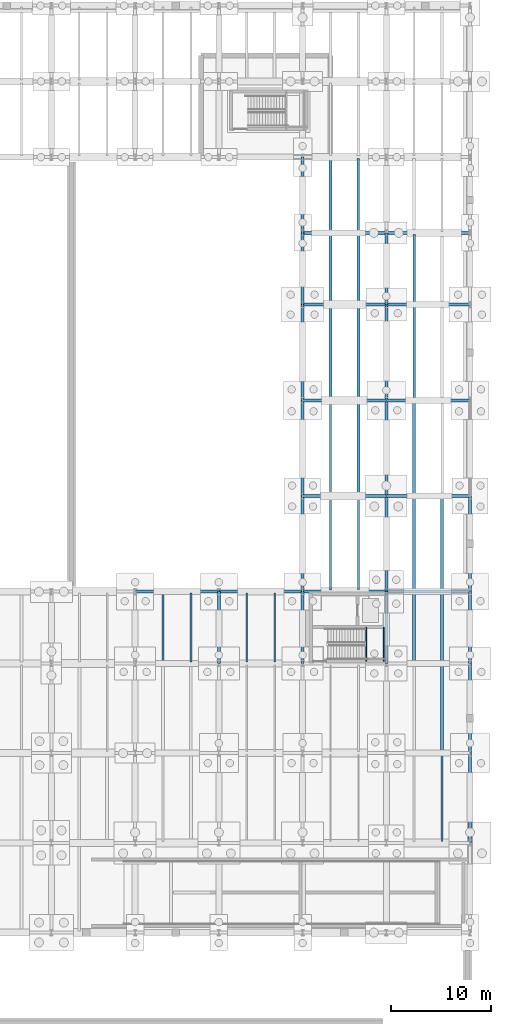
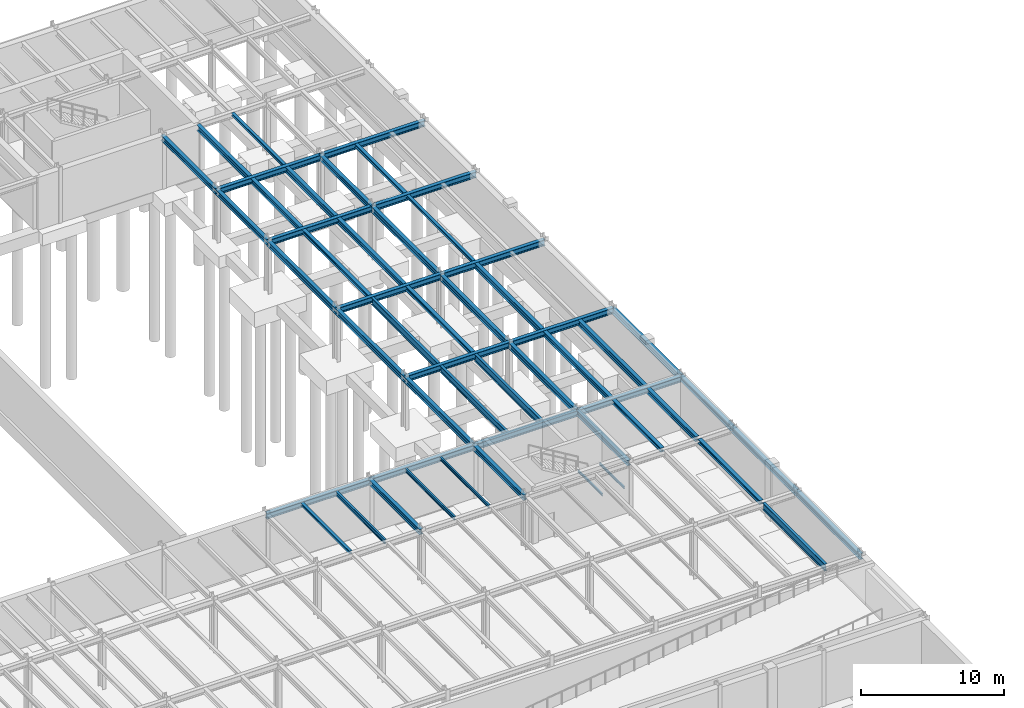
# One storey, part 36 of 59: 53 beams.
"""IFC4 building model written with IfcOpenShell, lengths in metres."""

from ifc_helpers import new_model, si_unit, direction, frame, origin, origin_2d, place, context, subcontext, project, spatial, i_section, extrude, material, material_profile, profile_set, type_object, element, save


model = new_model("IFC4")

# Units and contexts
model_context = context("Model", 3, precision=1e-05, world=origin(), true_north=direction((0.0, 1.0)))
body_context = subcontext(model_context, "Body", "Model", "MODEL_VIEW")
ifc_project = project(units=[si_unit("LENGTHUNIT", "METRE"), si_unit("AREAUNIT", "SQUARE_METRE"), si_unit("VOLUMEUNIT", "CUBIC_METRE"), si_unit("PLANEANGLEUNIT", "RADIAN"), si_unit("MASSUNIT", "GRAM", prefix="KILO")], contexts=[model_context])

# Site, building, storey
site_placement = place(None, origin())
site = spatial("IfcSite", under=ifc_project, at=site_placement, CompositionType="ELEMENT")
building_placement = place(site_placement, origin())
building = spatial("IfcBuilding", under=site, at=building_placement, Name="Montealbar Specialist Clinic", CompositionType="ELEMENT")
storey_placement = place(building_placement, frame((0.0, 0.0, -4.800048828125)))
storey = spatial("IfcBuildingStorey", under=building, at=storey_placement, Name="B01", CompositionType="ELEMENT", Elevation=-4.800048828125)

# Beams
ifc_material = material(Name="Steel S355", Category="steel")
ifc_material_profile_1 = material_profile(ifc_material, i_section(OverallWidth=0.300048828125, OverallDepth=0.449951171875, WebThickness=0.013916015625, FlangeThickness=0.02587890625, FilletRadius=0.027099609375, at=origin_2d()), Name="HEB 450", Category="steel")
ifc_profile_set_1 = profile_set([ifc_material_profile_1], Name="Steel S355")
beam_type_1 = type_object("IfcBeamType", Name="BM-GIRD-HEB450", PredefinedType="BEAM", material=ifc_profile_set_1)
for number, where, z_axis, x_axis, name in (
    (1, (136.800048828125, 45.0, 4.255126953125), (0.0, 1.0, 0.0), (-1.0, 0.0, 0.0), "Beam GY-B01-1368-450-522"),
    (2, (145.199951171875, 45.0, 4.255126953125), (0.0, 1.0, 0.0), (-1.0, 0.0, 0.0), "Beam GY-B01-1452-450-522"),
    (3, (153.60009765625, 45.0, 4.255126953125), (0.0, 1.0, 0.0), (-1.0, 0.0, 0.0), "Beam GY-B01-1536-450-522"),
    (4, (153.60009765625, 81.0, 4.255126953125), (0.0, 1.0, 0.0), (-1.0, 0.0, 0.0), "Beam GY-B01-1536-810-882"),
):
    element("IfcBeam", number, at=place(storey_placement, frame(where, z_axis=z_axis, x_axis=x_axis)), inside=storey, type_object=beam_type_1, Name=name, PredefinedType="BEAM", context=body_context, shape_type="SweptSolid", body=[
        extrude(i_section(OverallWidth=0.300048828125, OverallDepth=0.449951171875, WebThickness=0.013916015625, FlangeThickness=0.02587890625, FilletRadius=0.027099609375, at=origin_2d()), origin(), (0.0, 0.0, 1.0), 7.199951171875),
    ])
ifc_material_profile_2 = material_profile(ifc_material, i_section(OverallWidth=0.300048828125, OverallDepth=0.449951171875, WebThickness=0.013916015625, FlangeThickness=0.02587890625, FilletRadius=0.027099609375, at=origin_2d()), Name="HEB 450", Category="steel")
ifc_profile_set_2 = profile_set([ifc_material_profile_2], Name="Steel S355")
beam_type_2 = type_object("IfcBeamType", Name="BM-GIRD-HEB450-EXT", PredefinedType="BEAM", material=ifc_profile_set_2)
beam_1_placement = place(storey_placement, frame((145.199951171875, 81.0, 4.255126953125), z_axis=(0.0, 1.0, 0.0), x_axis=(-1.0, 0.0, 0.0)))
element("IfcBeam", 5, at=beam_1_placement, inside=storey, type_object=beam_type_2, Name="Beam GY-B01-1452-810-882", PredefinedType="BEAM", context=body_context, shape_type="SweptSolid", body=[
    extrude(i_section(OverallWidth=0.300048828125, OverallDepth=0.449951171875, WebThickness=0.013916015625, FlangeThickness=0.02587890625, FilletRadius=0.027099609375, at=origin_2d()), origin(), (0.0, 0.0, 1.0), 7.199951171875),
])
beam_2_placement = place(storey_placement, frame((145.199951171875, 88.199951171875, 4.255126953125), z_axis=(0.0, 1.0, 0.0), x_axis=(-1.0, 0.0, 0.0)))
element("IfcBeam", 6, at=beam_2_placement, inside=storey, type_object=beam_type_2, Name="Beam GY-B01-1452-882-958", PredefinedType="BEAM", context=body_context, shape_type="SweptSolid", body=[
    extrude(i_section(OverallWidth=0.300048828125, OverallDepth=0.449951171875, WebThickness=0.013916015625, FlangeThickness=0.02587890625, FilletRadius=0.027099609375, at=origin_2d()), origin(), (0.0, 0.0, 1.0), 7.60009765625),
])
beam_3_placement = place(storey_placement, frame((162.0, 45.0, 4.255126953125), z_axis=(0.0, 1.0, 0.0), x_axis=(-1.0, 0.0, 0.0)))
element("IfcBeam", 7, at=beam_3_placement, inside=storey, type_object=beam_type_2, Name="Beam GY-B01-1620-450-522", PredefinedType="BEAM", context=body_context, shape_type="SweptSolid", body=[
    extrude(i_section(OverallWidth=0.300048828125, OverallDepth=0.449951171875, WebThickness=0.013916015625, FlangeThickness=0.02587890625, FilletRadius=0.027099609375, at=origin_2d()), origin(), (0.0, 0.0, 1.0), 7.199951171875),
])
ifc_material_profile_3 = material_profile(ifc_material, i_section(OverallWidth=0.300048828125, OverallDepth=0.5, WebThickness=0.014404296875, FlangeThickness=0.028076171875, FilletRadius=0.027099609375, at=origin_2d()), Name="HEB 500", Category="steel")
ifc_profile_set_3 = profile_set([ifc_material_profile_3], Name="Steel S355")
beam_type_3 = type_object("IfcBeamType", Name="BM-GIRD-HEB500", PredefinedType="BEAM", material=ifc_profile_set_3)
beam_4_placement = place(storey_placement, frame((145.199951171875, 52.199951171875, 4.22998046875), z_axis=(1.0, 0.0, 0.0), x_axis=(0.0, 1.0, 0.0)))
element("IfcBeam", 8, at=beam_4_placement, inside=storey, type_object=beam_type_3, Name="Beam GX-B01-1452-1536-522", PredefinedType="BEAM", context=body_context, shape_type="SweptSolid", body=[
    extrude(i_section(OverallWidth=0.300048828125, OverallDepth=0.5, WebThickness=0.014404296875, FlangeThickness=0.028076171875, FilletRadius=0.027099609375, at=origin_2d()), origin(), (0.0, 0.0, 1.0), 8.400146484375),
])
beam_5_placement = place(storey_placement, frame((153.60009765625, 52.199951171875, 4.22998046875), z_axis=(1.0, 0.0, 0.0), x_axis=(0.0, 1.0, 0.0)))
element("IfcBeam", 9, at=beam_5_placement, inside=storey, type_object=beam_type_3, Name="Beam GX-B01-1536-1620-522", PredefinedType="BEAM", context=body_context, shape_type="SweptSolid", body=[
    extrude(i_section(OverallWidth=0.300048828125, OverallDepth=0.5, WebThickness=0.014404296875, FlangeThickness=0.028076171875, FilletRadius=0.027099609375, at=origin_2d()), origin(), (0.0, 0.0, 1.0), 8.39990234375),
])
beam_6_placement = place(storey_placement, frame((145.199951171875, 61.800048828125, 4.22998046875), z_axis=(1.0, 0.0, 0.0), x_axis=(0.0, 1.0, 0.0)))
element("IfcBeam", 10, at=beam_6_placement, inside=storey, type_object=beam_type_3, Name="Beam GX-B01-1452-1536-618", PredefinedType="BEAM", context=body_context, shape_type="SweptSolid", body=[
    extrude(i_section(OverallWidth=0.300048828125, OverallDepth=0.5, WebThickness=0.014404296875, FlangeThickness=0.028076171875, FilletRadius=0.027099609375, at=origin_2d()), origin(), (0.0, 0.0, 1.0), 8.400146484375),
])
beam_7_placement = place(storey_placement, frame((153.60009765625, 61.800048828125, 4.22998046875), z_axis=(1.0, 0.0, 0.0), x_axis=(0.0, 1.0, 0.0)))
element("IfcBeam", 11, at=beam_7_placement, inside=storey, type_object=beam_type_3, Name="Beam GX-B01-1536-1620-618", PredefinedType="BEAM", context=body_context, shape_type="SweptSolid", body=[
    extrude(i_section(OverallWidth=0.300048828125, OverallDepth=0.5, WebThickness=0.014404296875, FlangeThickness=0.028076171875, FilletRadius=0.027099609375, at=origin_2d()), origin(), (0.0, 0.0, 1.0), 8.39990234375),
])
beam_8_placement = place(storey_placement, frame((145.199951171875, 71.39990234375, 4.22998046875), z_axis=(1.0, 0.0, 0.0), x_axis=(0.0, 1.0, 0.0)))
element("IfcBeam", 12, at=beam_8_placement, inside=storey, type_object=beam_type_3, Name="Beam GX-B01-1452-1536-714", PredefinedType="BEAM", context=body_context, shape_type="SweptSolid", body=[
    extrude(i_section(OverallWidth=0.300048828125, OverallDepth=0.5, WebThickness=0.014404296875, FlangeThickness=0.028076171875, FilletRadius=0.027099609375, at=origin_2d()), origin(), (0.0, 0.0, 1.0), 8.400146484375),
])
beam_9_placement = place(storey_placement, frame((153.60009765625, 71.39990234375, 4.22998046875), z_axis=(1.0, 0.0, 0.0), x_axis=(0.0, 1.0, 0.0)))
element("IfcBeam", 13, at=beam_9_placement, inside=storey, type_object=beam_type_3, Name="Beam GX-B01-1536-1620-714", PredefinedType="BEAM", context=body_context, shape_type="SweptSolid", body=[
    extrude(i_section(OverallWidth=0.300048828125, OverallDepth=0.5, WebThickness=0.014404296875, FlangeThickness=0.028076171875, FilletRadius=0.027099609375, at=origin_2d()), origin(), (0.0, 0.0, 1.0), 8.39990234375),
])
beam_10_placement = place(storey_placement, frame((145.199951171875, 81.0, 4.22998046875), z_axis=(1.0, 0.0, 0.0), x_axis=(0.0, 1.0, 0.0)))
element("IfcBeam", 14, at=beam_10_placement, inside=storey, type_object=beam_type_3, Name="Beam GX-B01-1452-1536-810", PredefinedType="BEAM", context=body_context, shape_type="SweptSolid", body=[
    extrude(i_section(OverallWidth=0.300048828125, OverallDepth=0.5, WebThickness=0.014404296875, FlangeThickness=0.028076171875, FilletRadius=0.027099609375, at=origin_2d()), origin(), (0.0, 0.0, 1.0), 8.400146484375),
])
beam_11_placement = place(storey_placement, frame((153.60009765625, 81.0, 4.22998046875), z_axis=(1.0, 0.0, 0.0), x_axis=(0.0, 1.0, 0.0)))
element("IfcBeam", 15, at=beam_11_placement, inside=storey, type_object=beam_type_3, Name="Beam GX-B01-1536-1620-810", PredefinedType="BEAM", context=body_context, shape_type="SweptSolid", body=[
    extrude(i_section(OverallWidth=0.300048828125, OverallDepth=0.5, WebThickness=0.014404296875, FlangeThickness=0.028076171875, FilletRadius=0.027099609375, at=origin_2d()), origin(), (0.0, 0.0, 1.0), 8.39990234375),
])
beam_12_placement = place(storey_placement, frame((145.199951171875, 88.199951171875, 4.22998046875), z_axis=(1.0, 0.0, 0.0), x_axis=(0.0, 1.0, 0.0)))
element("IfcBeam", 16, at=beam_12_placement, inside=storey, type_object=beam_type_3, Name="Beam GX-B01-1452-1536-882", PredefinedType="BEAM", context=body_context, shape_type="SweptSolid", body=[
    extrude(i_section(OverallWidth=0.300048828125, OverallDepth=0.5, WebThickness=0.014404296875, FlangeThickness=0.028076171875, FilletRadius=0.027099609375, at=origin_2d()), origin(), (0.0, 0.0, 1.0), 8.400146484375),
])
beam_13_placement = place(storey_placement, frame((153.60009765625, 88.199951171875, 4.22998046875), z_axis=(1.0, 0.0, 0.0), x_axis=(0.0, 1.0, 0.0)))
element("IfcBeam", 17, at=beam_13_placement, inside=storey, type_object=beam_type_3, Name="Beam GX-B01-1536-1620-882", PredefinedType="BEAM", context=body_context, shape_type="SweptSolid", body=[
    extrude(i_section(OverallWidth=0.300048828125, OverallDepth=0.5, WebThickness=0.014404296875, FlangeThickness=0.028076171875, FilletRadius=0.027099609375, at=origin_2d()), origin(), (0.0, 0.0, 1.0), 8.39990234375),
])
beam_14_placement = place(storey_placement, frame((153.60009765625, 52.199951171875, 4.22998046875), z_axis=(0.0, 1.0, 0.0), x_axis=(-1.0, 0.0, 0.0)))
element("IfcBeam", 18, at=beam_14_placement, inside=storey, type_object=beam_type_3, Name="Beam GY-B01-1536-522-618", PredefinedType="BEAM", context=body_context, shape_type="SweptSolid", body=[
    extrude(i_section(OverallWidth=0.300048828125, OverallDepth=0.5, WebThickness=0.014404296875, FlangeThickness=0.028076171875, FilletRadius=0.027099609375, at=origin_2d()), origin(), (0.0, 0.0, 1.0), 9.60009765625),
])
beam_15_placement = place(storey_placement, frame((153.60009765625, 61.800048828125, 4.22998046875), z_axis=(0.0, 1.0, 0.0), x_axis=(-1.0, 0.0, 0.0)))
element("IfcBeam", 19, at=beam_15_placement, inside=storey, type_object=beam_type_3, Name="Beam GY-B01-1536-618-714", PredefinedType="BEAM", context=body_context, shape_type="SweptSolid", body=[
    extrude(i_section(OverallWidth=0.300048828125, OverallDepth=0.5, WebThickness=0.014404296875, FlangeThickness=0.028076171875, FilletRadius=0.027099609375, at=origin_2d()), origin(), (0.0, 0.0, 1.0), 9.599853515625),
])
beam_16_placement = place(storey_placement, frame((153.60009765625, 71.39990234375, 4.22998046875), z_axis=(0.0, 1.0, 0.0), x_axis=(-1.0, 0.0, 0.0)))
element("IfcBeam", 20, at=beam_16_placement, inside=storey, type_object=beam_type_3, Name="Beam GY-B01-1536-714-810", PredefinedType="BEAM", context=body_context, shape_type="SweptSolid", body=[
    extrude(i_section(OverallWidth=0.300048828125, OverallDepth=0.5, WebThickness=0.014404296875, FlangeThickness=0.028076171875, FilletRadius=0.027099609375, at=origin_2d()), origin(), (0.0, 0.0, 1.0), 9.60009765625),
])
ifc_material_profile_4 = material_profile(ifc_material, i_section(OverallWidth=0.300048828125, OverallDepth=0.5, WebThickness=0.014404296875, FlangeThickness=0.028076171875, FilletRadius=0.027099609375, at=origin_2d()), Name="HEB 500", Category="steel")
ifc_profile_set_4 = profile_set([ifc_material_profile_4], Name="Steel S355")
beam_type_4 = type_object("IfcBeamType", Name="BM-GIRD-HEB500-EXT", PredefinedType="BEAM", material=ifc_profile_set_4)
beam_17_placement = place(storey_placement, frame((128.39990234375, 52.199951171875, 4.22998046875), z_axis=(1.0, 0.0, 0.0), x_axis=(0.0, 1.0, 0.0)))
element("IfcBeam", 21, at=beam_17_placement, inside=storey, type_object=beam_type_4, Name="Beam GX-B01-1284-1368-522", PredefinedType="BEAM", context=body_context, shape_type="SweptSolid", body=[
    extrude(i_section(OverallWidth=0.300048828125, OverallDepth=0.5, WebThickness=0.014404296875, FlangeThickness=0.028076171875, FilletRadius=0.027099609375, at=origin_2d()), origin(), (0.0, 0.0, 1.0), 8.400146484375),
])
beam_18_placement = place(storey_placement, frame((136.800048828125, 52.199951171875, 4.22998046875), z_axis=(1.0, 0.0, 0.0), x_axis=(0.0, 1.0, 0.0)))
element("IfcBeam", 22, at=beam_18_placement, inside=storey, type_object=beam_type_4, Name="Beam GX-B01-1368-1452-522", PredefinedType="BEAM", context=body_context, shape_type="SweptSolid", body=[
    extrude(i_section(OverallWidth=0.300048828125, OverallDepth=0.5, WebThickness=0.014404296875, FlangeThickness=0.028076171875, FilletRadius=0.027099609375, at=origin_2d()), origin(), (0.0, 0.0, 1.0), 8.39990234375),
])
beam_19_placement = place(storey_placement, frame((145.199951171875, 52.199951171875, 4.22998046875), z_axis=(0.0, 1.0, 0.0), x_axis=(-1.0, 0.0, 0.0)))
element("IfcBeam", 23, at=beam_19_placement, inside=storey, type_object=beam_type_4, Name="Beam GY-B01-1452-522-618", PredefinedType="BEAM", context=body_context, shape_type="SweptSolid", body=[
    extrude(i_section(OverallWidth=0.300048828125, OverallDepth=0.5, WebThickness=0.014404296875, FlangeThickness=0.028076171875, FilletRadius=0.027099609375, at=origin_2d()), origin(), (0.0, 0.0, 1.0), 9.60009765625),
])
beam_20_placement = place(storey_placement, frame((145.199951171875, 61.800048828125, 4.22998046875), z_axis=(0.0, 1.0, 0.0), x_axis=(-1.0, 0.0, 0.0)))
element("IfcBeam", 24, at=beam_20_placement, inside=storey, type_object=beam_type_4, Name="Beam GY-B01-1452-618-714", PredefinedType="BEAM", context=body_context, shape_type="SweptSolid", body=[
    extrude(i_section(OverallWidth=0.300048828125, OverallDepth=0.5, WebThickness=0.014404296875, FlangeThickness=0.028076171875, FilletRadius=0.027099609375, at=origin_2d()), origin(), (0.0, 0.0, 1.0), 9.599853515625),
])
beam_21_placement = place(storey_placement, frame((145.199951171875, 71.39990234375, 4.22998046875), z_axis=(0.0, 1.0, 0.0), x_axis=(-1.0, 0.0, 0.0)))
element("IfcBeam", 25, at=beam_21_placement, inside=storey, type_object=beam_type_4, Name="Beam GY-B01-1452-714-810", PredefinedType="BEAM", context=body_context, shape_type="SweptSolid", body=[
    extrude(i_section(OverallWidth=0.300048828125, OverallDepth=0.5, WebThickness=0.014404296875, FlangeThickness=0.028076171875, FilletRadius=0.027099609375, at=origin_2d()), origin(), (0.0, 0.0, 1.0), 9.60009765625),
])
for number, where, z_axis, x_axis, name in (
    (26, (162.0, 27.0, 4.22998046875), (0.0, 1.0, 0.0), (-1.0, 0.0, 0.0), "Beam GY-B01-1620-270-360"),
    (27, (162.0, 36.0, 4.22998046875), (0.0, 1.0, 0.0), (-1.0, 0.0, 0.0), "Beam GY-B01-1620-360-450"),
):
    element("IfcBeam", number, at=place(storey_placement, frame(where, z_axis=z_axis, x_axis=x_axis)), inside=storey, type_object=beam_type_4, Name=name, PredefinedType="BEAM", context=body_context, shape_type="SweptSolid", body=[
        extrude(i_section(OverallWidth=0.300048828125, OverallDepth=0.5, WebThickness=0.014404296875, FlangeThickness=0.028076171875, FilletRadius=0.027099609375, at=origin_2d()), origin(), (0.0, 0.0, 1.0), 9.0),
    ])
beam_22_placement = place(storey_placement, frame((162.0, 52.199951171875, 4.22998046875), z_axis=(0.0, 1.0, 0.0), x_axis=(-1.0, 0.0, 0.0)))
element("IfcBeam", 28, at=beam_22_placement, inside=storey, type_object=beam_type_4, Name="Beam GY-B01-1620-522-618", PredefinedType="BEAM", context=body_context, shape_type="SweptSolid", body=[
    extrude(i_section(OverallWidth=0.300048828125, OverallDepth=0.5, WebThickness=0.014404296875, FlangeThickness=0.028076171875, FilletRadius=0.027099609375, at=origin_2d()), origin(), (0.0, 0.0, 1.0), 9.60009765625),
])
ifc_material_profile_5 = material_profile(ifc_material, i_section(OverallWidth=0.300048828125, OverallDepth=0.35009765625, WebThickness=0.010009765625, FlangeThickness=0.017578125, FilletRadius=0.027099609375, at=origin_2d()), Name="HEA 360", Category="steel")
ifc_profile_set_5 = profile_set([ifc_material_profile_5], Name="Steel S355")
beam_type_5 = type_object("IfcBeamType", Name="BM-JST-HEA360", PredefinedType="JOIST", material=ifc_profile_set_5)
for number, where, z_axis, x_axis, name in (
    (29, (150.800048828125, 61.949951171875, 4.304931640625), (0.0, 1.0, 0.0), (-1.0, 0.0, 0.0), "Beam JST-B01-1508-620-712"),
    (30, (148.0, 71.550048828125, 4.304931640625), (0.0, 1.0, 0.0), (-1.0, 0.0, 0.0), "Beam JST-B01-1480-716-808"),
):
    element("IfcBeam", number, at=place(storey_placement, frame(where, z_axis=z_axis, x_axis=x_axis)), inside=storey, type_object=beam_type_5, Name=name, PredefinedType="JOIST", context=body_context, shape_type="SweptSolid", body=[
        extrude(i_section(OverallWidth=0.300048828125, OverallDepth=0.35009765625, WebThickness=0.010009765625, FlangeThickness=0.017578125, FilletRadius=0.027099609375, at=origin_2d()), origin(), (0.0, 0.0, 1.0), 9.300048828125),
    ])
beam_23_placement = place(storey_placement, frame((159.199951171875, 36.14990234375, 4.304931640625), z_axis=(0.0, 1.0, 0.0), x_axis=(-1.0, 0.0, 0.0)))
element("IfcBeam", 31, at=beam_23_placement, inside=storey, type_object=beam_type_5, Name="Beam JST-B01-1592-362-448", PredefinedType="JOIST", context=body_context, shape_type="SweptSolid", body=[
    extrude(i_section(OverallWidth=0.300048828125, OverallDepth=0.35009765625, WebThickness=0.010009765625, FlangeThickness=0.017578125, FilletRadius=0.027099609375, at=origin_2d()), origin(), (0.0, 0.0, 1.0), 8.7001953125),
])
beam_24_placement = place(storey_placement, frame((156.39990234375, 45.14990234375, 4.304931640625), z_axis=(0.0, 1.0, 0.0), x_axis=(-1.0, 0.0, 0.0)))
element("IfcBeam", 32, at=beam_24_placement, inside=storey, type_object=beam_type_5, Name="Beam JST-B01-1564-452-520", PredefinedType="JOIST", context=body_context, shape_type="SweptSolid", body=[
    extrude(i_section(OverallWidth=0.300048828125, OverallDepth=0.35009765625, WebThickness=0.010009765625, FlangeThickness=0.017578125, FilletRadius=0.027099609375, at=origin_2d()), origin(), (0.0, 0.0, 1.0), 6.900146484375),
])
ifc_material_profile_6 = material_profile(ifc_material, i_section(OverallWidth=0.300048828125, OverallDepth=0.43994140625, WebThickness=0.011474609375, FlangeThickness=0.02099609375, FilletRadius=0.027099609375, at=origin_2d()), Name="HEA 450", Category="steel")
ifc_profile_set_6 = profile_set([ifc_material_profile_6], Name="Steel S355")
beam_type_6 = type_object("IfcBeamType", Name="BM-JST-HEA450", PredefinedType="JOIST", material=ifc_profile_set_6)
beam_25_placement = place(storey_placement, frame((150.800048828125, 71.550048828125, 4.260009765625), z_axis=(0.0, 1.0, 0.0), x_axis=(-1.0, 0.0, 0.0)))
element("IfcBeam", 33, at=beam_25_placement, inside=storey, type_object=beam_type_6, Name="Beam JST-B01-1508-716-808", PredefinedType="JOIST", context=body_context, shape_type="SweptSolid", body=[
    extrude(i_section(OverallWidth=0.300048828125, OverallDepth=0.43994140625, WebThickness=0.011474609375, FlangeThickness=0.02099609375, FilletRadius=0.027099609375, at=origin_2d()), origin(), (0.0, 0.0, 1.0), 9.300048828125),
])
for number, where, z_axis, x_axis, name in (
    (34, (148.0, 81.14990234375, 4.260009765625), (0.0, 1.0, 0.0), (-1.0, 0.0, 0.0), "Beam JST-B01-1480-812-880"),
    (35, (159.199951171875, 45.14990234375, 4.260009765625), (0.0, 1.0, 0.0), (-1.0, 0.0, 0.0), "Beam JST-B01-1592-452-520"),
):
    element("IfcBeam", number, at=place(storey_placement, frame(where, z_axis=z_axis, x_axis=x_axis)), inside=storey, type_object=beam_type_6, Name=name, PredefinedType="JOIST", context=body_context, shape_type="SweptSolid", body=[
        extrude(i_section(OverallWidth=0.300048828125, OverallDepth=0.43994140625, WebThickness=0.011474609375, FlangeThickness=0.02099609375, FilletRadius=0.027099609375, at=origin_2d()), origin(), (0.0, 0.0, 1.0), 6.900146484375),
    ])
beam_26_placement = place(storey_placement, frame((156.39990234375, 52.35009765625, 4.260009765625), z_axis=(0.0, 1.0, 0.0), x_axis=(-1.0, 0.0, 0.0)))
element("IfcBeam", 36, at=beam_26_placement, inside=storey, type_object=beam_type_6, Name="Beam JST-B01-1564-524-616", PredefinedType="JOIST", context=body_context, shape_type="SweptSolid", body=[
    extrude(i_section(OverallWidth=0.300048828125, OverallDepth=0.43994140625, WebThickness=0.011474609375, FlangeThickness=0.02099609375, FilletRadius=0.027099609375, at=origin_2d()), origin(), (0.0, 0.0, 1.0), 9.2998046875),
])
ifc_material_profile_7 = material_profile(ifc_material, i_section(OverallWidth=0.300048828125, OverallDepth=0.489990234375, WebThickness=0.011962890625, FlangeThickness=0.02294921875, FilletRadius=0.027099609375, at=origin_2d()), Name="HEA 500", Category="steel")
ifc_profile_set_7 = profile_set([ifc_material_profile_7], Name="Steel S355")
beam_type_7 = type_object("IfcBeamType", Name="BM-JST-HEA500", PredefinedType="JOIST", material=ifc_profile_set_7)
beam_27_placement = place(storey_placement, frame((150.800048828125, 81.14990234375, 4.235107421875), z_axis=(0.0, 1.0, 0.0), x_axis=(-1.0, 0.0, 0.0)))
element("IfcBeam", 37, at=beam_27_placement, inside=storey, type_object=beam_type_7, Name="Beam JST-B01-1508-812-880", PredefinedType="JOIST", context=body_context, shape_type="SweptSolid", body=[
    extrude(i_section(OverallWidth=0.300048828125, OverallDepth=0.489990234375, WebThickness=0.011962890625, FlangeThickness=0.02294921875, FilletRadius=0.027099609375, at=origin_2d()), origin(), (0.0, 0.0, 1.0), 6.900146484375),
])
beam_28_placement = place(storey_placement, frame((148.0, 88.35009765625, 4.235107421875), z_axis=(0.0, 1.0, 0.0), x_axis=(-1.0, 0.0, 0.0)))
element("IfcBeam", 38, at=beam_28_placement, inside=storey, type_object=beam_type_7, Name="Beam JST-B01-1480-884-956", PredefinedType="JOIST", context=body_context, shape_type="SweptSolid", body=[
    extrude(i_section(OverallWidth=0.300048828125, OverallDepth=0.489990234375, WebThickness=0.011962890625, FlangeThickness=0.02294921875, FilletRadius=0.027099609375, at=origin_2d()), origin(), (0.0, 0.0, 1.0), 7.2998046875),
])
beam_29_placement = place(storey_placement, frame((159.199951171875, 52.35009765625, 4.235107421875), z_axis=(0.0, 1.0, 0.0), x_axis=(-1.0, 0.0, 0.0)))
element("IfcBeam", 39, at=beam_29_placement, inside=storey, type_object=beam_type_7, Name="Beam JST-B01-1592-524-616", PredefinedType="JOIST", context=body_context, shape_type="SweptSolid", body=[
    extrude(i_section(OverallWidth=0.300048828125, OverallDepth=0.489990234375, WebThickness=0.011962890625, FlangeThickness=0.02294921875, FilletRadius=0.027099609375, at=origin_2d()), origin(), (0.0, 0.0, 1.0), 9.2998046875),
])
beam_30_placement = place(storey_placement, frame((156.39990234375, 61.949951171875, 4.235107421875), z_axis=(0.0, 1.0, 0.0), x_axis=(-1.0, 0.0, 0.0)))
element("IfcBeam", 40, at=beam_30_placement, inside=storey, type_object=beam_type_7, Name="Beam JST-B01-1564-620-712", PredefinedType="JOIST", context=body_context, shape_type="SweptSolid", body=[
    extrude(i_section(OverallWidth=0.300048828125, OverallDepth=0.489990234375, WebThickness=0.011962890625, FlangeThickness=0.02294921875, FilletRadius=0.027099609375, at=origin_2d()), origin(), (0.0, 0.0, 1.0), 9.300048828125),
])
ifc_material_profile_8 = material_profile(ifc_material, i_section(OverallWidth=0.239990234375, OverallDepth=0.239990234375, WebThickness=0.010009765625, FlangeThickness=0.01708984375, FilletRadius=0.02099609375, at=origin_2d()), Name="HEB 240", Category="steel")
ifc_profile_set_8 = profile_set([ifc_material_profile_8], Name="Steel S355")
beam_type_8 = type_object("IfcBeamType", Name="BM-JST-HEB240", PredefinedType="JOIST", material=ifc_profile_set_8)
beam_31_placement = place(storey_placement, frame((150.800048828125, 88.35009765625, 4.360107421875), z_axis=(0.0, 1.0, 0.0), x_axis=(-1.0, 0.0, 0.0)))
element("IfcBeam", 41, at=beam_31_placement, inside=storey, type_object=beam_type_8, Name="Beam JST-B01-1508-884-956", PredefinedType="JOIST", context=body_context, shape_type="SweptSolid", body=[
    extrude(i_section(OverallWidth=0.239990234375, OverallDepth=0.239990234375, WebThickness=0.010009765625, FlangeThickness=0.01708984375, FilletRadius=0.02099609375, at=origin_2d()), origin(), (0.0, 0.0, 1.0), 7.2998046875),
])
beam_32_placement = place(storey_placement, frame((156.39990234375, 71.550048828125, 4.360107421875), z_axis=(0.0, 1.0, 0.0), x_axis=(-1.0, 0.0, 0.0)))
element("IfcBeam", 42, at=beam_32_placement, inside=storey, type_object=beam_type_8, Name="Beam JST-B01-1564-716-808", PredefinedType="JOIST", context=body_context, shape_type="SweptSolid", body=[
    extrude(i_section(OverallWidth=0.239990234375, OverallDepth=0.239990234375, WebThickness=0.010009765625, FlangeThickness=0.01708984375, FilletRadius=0.02099609375, at=origin_2d()), origin(), (0.0, 0.0, 1.0), 9.300048828125),
])
ifc_material_profile_9 = material_profile(ifc_material, i_section(OverallWidth=0.280029296875, OverallDepth=0.280029296875, WebThickness=0.010498046875, FlangeThickness=0.01806640625, FilletRadius=0.02392578125, at=origin_2d()), Name="HEB 280", Category="steel")
ifc_profile_set_9 = profile_set([ifc_material_profile_9], Name="Steel S355")
beam_type_9 = type_object("IfcBeamType", Name="BM-JST-HEB280", PredefinedType="JOIST", material=ifc_profile_set_9)
beam_33_placement = place(storey_placement, frame((156.39990234375, 81.14990234375, 4.340087890625), z_axis=(0.0, 1.0, 0.0), x_axis=(-1.0, 0.0, 0.0)))
element("IfcBeam", 43, at=beam_33_placement, inside=storey, type_object=beam_type_9, Name="Beam JST-B01-1564-812-880", PredefinedType="JOIST", context=body_context, shape_type="SweptSolid", body=[
    extrude(i_section(OverallWidth=0.280029296875, OverallDepth=0.280029296875, WebThickness=0.010498046875, FlangeThickness=0.01806640625, FilletRadius=0.02392578125, at=origin_2d()), origin(), (0.0, 0.0, 1.0), 6.900146484375),
])
ifc_material_profile_10 = material_profile(ifc_material, i_section(OverallWidth=0.135009765625, OverallDepth=0.27001953125, WebThickness=0.006591796875, FlangeThickness=0.01025390625, FilletRadius=0.014892578125, at=origin_2d()), Name="IPE 270", Category="steel")
ifc_profile_set_10 = profile_set([ifc_material_profile_10], Name="Steel S355")
beam_type_10 = type_object("IfcBeamType", Name="BM-JST-IPE270", PredefinedType="JOIST", material=ifc_profile_set_10)
beam_34_placement = place(storey_placement, frame((142.39990234375, 45.14990234375, 4.344970703125), z_axis=(0.0, 1.0, 0.0), x_axis=(-1.0, 0.0, 0.0)))
element("IfcBeam", 44, at=beam_34_placement, inside=storey, type_object=beam_type_10, Name="Beam JST-B01-1424-452-520", PredefinedType="JOIST", context=body_context, shape_type="SweptSolid", body=[
    extrude(i_section(OverallWidth=0.135009765625, OverallDepth=0.27001953125, WebThickness=0.006591796875, FlangeThickness=0.01025390625, FilletRadius=0.014892578125, at=origin_2d()), origin(), (0.0, 0.0, 1.0), 6.900146484375),
])
ifc_material_profile_11 = material_profile(ifc_material, i_section(OverallWidth=0.14990234375, OverallDepth=0.300048828125, WebThickness=0.007080078125, FlangeThickness=0.0107421875, FilletRadius=0.014892578125, at=origin_2d()), Name="IPE 300", Category="steel")
ifc_profile_set_11 = profile_set([ifc_material_profile_11], Name="Steel S355")
beam_type_11 = type_object("IfcBeamType", Name="BM-JST-IPE300", PredefinedType="JOIST", material=ifc_profile_set_11)
beam_35_placement = place(storey_placement, frame((139.60009765625, 45.14990234375, 4.330078125), z_axis=(0.0, 1.0, 0.0), x_axis=(-1.0, 0.0, 0.0)))
element("IfcBeam", 45, at=beam_35_placement, inside=storey, type_object=beam_type_11, Name="Beam JST-B01-1396-452-520", PredefinedType="JOIST", context=body_context, shape_type="SweptSolid", body=[
    extrude(i_section(OverallWidth=0.14990234375, OverallDepth=0.300048828125, WebThickness=0.007080078125, FlangeThickness=0.0107421875, FilletRadius=0.014892578125, at=origin_2d()), origin(), (0.0, 0.0, 1.0), 6.900146484375),
])
ifc_material_profile_12 = material_profile(ifc_material, i_section(OverallWidth=0.169921875, OverallDepth=0.360107421875, WebThickness=0.008056640625, FlangeThickness=0.0126953125, FilletRadius=0.01806640625, at=origin_2d()), Name="IPE 360", Category="steel")
ifc_profile_set_12 = profile_set([ifc_material_profile_12], Name="Steel S355")
beam_type_12 = type_object("IfcBeamType", Name="BM-JST-IPE360", PredefinedType="JOIST", material=ifc_profile_set_12)
beam_36_placement = place(storey_placement, frame((134.0, 45.14990234375, 4.300048828125), z_axis=(0.0, 1.0, 0.0), x_axis=(-1.0, 0.0, 0.0)))
element("IfcBeam", 46, at=beam_36_placement, inside=storey, type_object=beam_type_12, Name="Beam JST-B01-1340-452-520", PredefinedType="JOIST", context=body_context, shape_type="SweptSolid", body=[
    extrude(i_section(OverallWidth=0.169921875, OverallDepth=0.360107421875, WebThickness=0.008056640625, FlangeThickness=0.0126953125, FilletRadius=0.01806640625, at=origin_2d()), origin(), (0.0, 0.0, 1.0), 6.900146484375),
])
ifc_material_profile_13 = material_profile(ifc_material, i_section(OverallWidth=0.2099609375, OverallDepth=0.550048828125, WebThickness=0.010986328125, FlangeThickness=0.01708984375, FilletRadius=0.02392578125, at=origin_2d()), Name="IPE 550", Category="steel")
ifc_profile_set_13 = profile_set([ifc_material_profile_13], Name="Steel S355")
beam_type_13 = type_object("IfcBeamType", Name="BM-JST-IPE550", PredefinedType="JOIST", material=ifc_profile_set_13)
beam_37_placement = place(storey_placement, frame((148.0, 52.35009765625, 4.205078125), z_axis=(0.0, 1.0, 0.0), x_axis=(-1.0, 0.0, 0.0)))
element("IfcBeam", 47, at=beam_37_placement, inside=storey, type_object=beam_type_13, Name="Beam JST-B01-1480-524-616", PredefinedType="JOIST", context=body_context, shape_type="SweptSolid", body=[
    extrude(i_section(OverallWidth=0.2099609375, OverallDepth=0.550048828125, WebThickness=0.010986328125, FlangeThickness=0.01708984375, FilletRadius=0.02392578125, at=origin_2d()), origin(), (0.0, 0.0, 1.0), 9.2998046875),
])
ifc_material_profile_14 = material_profile(ifc_material, i_section(OverallWidth=0.219970703125, OverallDepth=0.60009765625, WebThickness=0.011962890625, FlangeThickness=0.01904296875, FilletRadius=0.02392578125, at=origin_2d()), Name="IPE 600", Category="steel")
ifc_profile_set_14 = profile_set([ifc_material_profile_14], Name="Steel S355")
beam_type_14 = type_object("IfcBeamType", Name="BM-JST-IPE600", PredefinedType="JOIST", material=ifc_profile_set_14)
beam_38_placement = place(storey_placement, frame((150.800048828125, 52.35009765625, 4.179931640625), z_axis=(0.0, 1.0, 0.0), x_axis=(-1.0, 0.0, 0.0)))
element("IfcBeam", 48, at=beam_38_placement, inside=storey, type_object=beam_type_14, Name="Beam JST-B01-1508-524-616", PredefinedType="JOIST", context=body_context, shape_type="SweptSolid", body=[
    extrude(i_section(OverallWidth=0.219970703125, OverallDepth=0.60009765625, WebThickness=0.011962890625, FlangeThickness=0.01904296875, FilletRadius=0.02392578125, at=origin_2d()), origin(), (0.0, 0.0, 1.0), 9.2998046875),
])
beam_39_placement = place(storey_placement, frame((148.0, 61.949951171875, 4.179931640625), z_axis=(0.0, 1.0, 0.0), x_axis=(-1.0, 0.0, 0.0)))
element("IfcBeam", 49, at=beam_39_placement, inside=storey, type_object=beam_type_14, Name="Beam JST-B01-1480-620-712", PredefinedType="JOIST", context=body_context, shape_type="SweptSolid", body=[
    extrude(i_section(OverallWidth=0.219970703125, OverallDepth=0.60009765625, WebThickness=0.011962890625, FlangeThickness=0.01904296875, FilletRadius=0.02392578125, at=origin_2d()), origin(), (0.0, 0.0, 1.0), 9.300048828125),
])
beam_40_placement = place(storey_placement, frame((159.199951171875, 27.14990234375, 4.179931640625), z_axis=(0.0, 1.0, 0.0), x_axis=(-1.0, 0.0, 0.0)))
element("IfcBeam", 50, at=beam_40_placement, inside=storey, type_object=beam_type_14, Name="Beam JST-B01-1592-272-358", PredefinedType="JOIST", context=body_context, shape_type="SweptSolid", body=[
    extrude(i_section(OverallWidth=0.219970703125, OverallDepth=0.60009765625, WebThickness=0.011962890625, FlangeThickness=0.01904296875, FilletRadius=0.02392578125, at=origin_2d()), origin(), (0.0, 0.0, 1.0), 8.7001953125),
])
ifc_material_profile_15 = material_profile(ifc_material, i_section(OverallWidth=0.10009765625, OverallDepth=0.199951171875, WebThickness=0.005615234375, FlangeThickness=0.008544921875, FilletRadius=0.011962890625, at=origin_2d()), Name="IPE 200", Category="steel")
ifc_profile_set_15 = profile_set([ifc_material_profile_15], Name="Steel S355")
beam_type_15 = type_object("IfcBeamType", Name="BM-LINT-IPE200", PredefinedType="LINTEL", material=ifc_profile_set_15)
for number, where, z_axis, x_axis, name in (
    (51, (151.574951171875, 45.199951171875, 2.10009765625), (0.0, 1.0, 0.0), (-1.0, 0.0, 0.0), "Core C6 Stair Landing Beam B01 W"),
    (52, (153.330078125, 45.199951171875, 2.10009765625), (0.0, 1.0, 0.0), (-1.0, 0.0, 0.0), "Core C6 Stair Landing Beam B01 E"),
):
    element("IfcBeam", number, at=place(storey_placement, frame(where, z_axis=z_axis, x_axis=x_axis)), inside=storey, type_object=beam_type_15, Name=name, PredefinedType="LINTEL", context=body_context, shape_type="SweptSolid", body=[
        extrude(i_section(OverallWidth=0.10009765625, OverallDepth=0.199951171875, WebThickness=0.005615234375, FlangeThickness=0.008544921875, FilletRadius=0.011962890625, at=origin_2d()), origin(), (0.0, 0.0, 1.0), 3.449951171875),
    ])
ifc_material_profile_16 = material_profile(ifc_material, i_section(OverallWidth=0.239990234375, OverallDepth=0.22998046875, WebThickness=0.007568359375, FlangeThickness=0.011962890625, FilletRadius=0.02099609375, at=origin_2d()), Name="HEA 240", Category="steel")
ifc_profile_set_16 = profile_set([ifc_material_profile_16], Name="Steel S355")
beam_type_16 = type_object("IfcBeamType", Name="BM-SPAND-HEA240", PredefinedType="SPANDREL", material=ifc_profile_set_16)
beam_41_placement = place(storey_placement, frame((131.199951171875, 45.14990234375, 4.364990234375), z_axis=(0.0, 1.0, 0.0), x_axis=(-1.0, 0.0, 0.0)))
element("IfcBeam", 53, at=beam_41_placement, inside=storey, type_object=beam_type_16, Name="Beam JST-B01-1312-452-520", PredefinedType="SPANDREL", context=body_context, shape_type="SweptSolid", body=[
    extrude(i_section(OverallWidth=0.239990234375, OverallDepth=0.22998046875, WebThickness=0.007568359375, FlangeThickness=0.011962890625, FilletRadius=0.02099609375, at=origin_2d()), origin(), (0.0, 0.0, 1.0), 6.900146484375),
])

save(model, "model.ifc")
